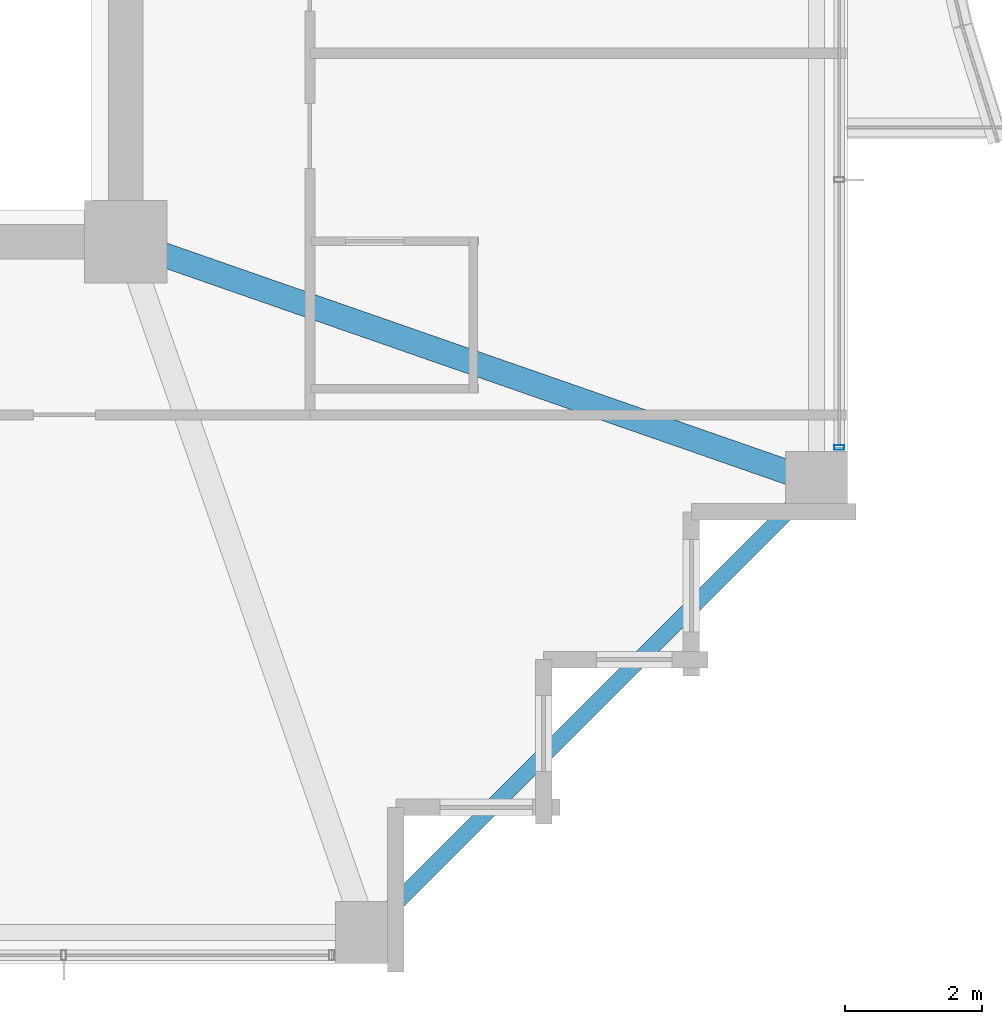
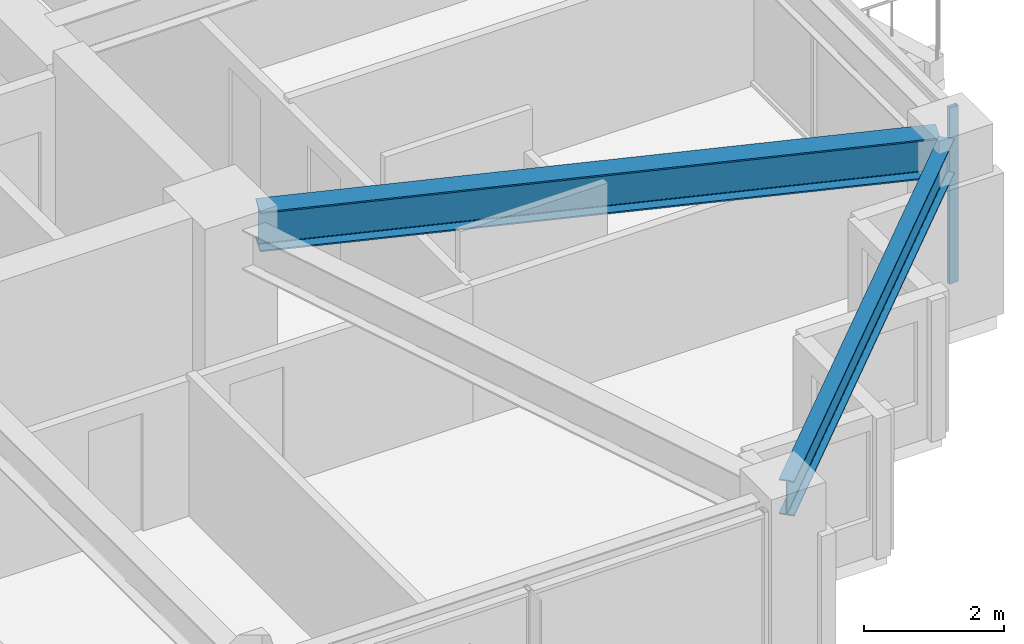
# One storey, part 11 of 34: 2 beams, 1 member, 1 element without a shape of its own.
"""IFC4 building model written with IfcOpenShell, lengths in metres."""

from ifc_helpers import new_model, si_unit, direction, frame, origin, origin_2d, place, context, subcontext, project, spatial, hollow_rectangle, i_section, extrude, material, material_profile, profile_set, type_object, element, aggregate, save


model = new_model("IFC4")

# Units and contexts
model_context = context("Model", 3, precision=1e-05, world=origin(), true_north=direction((0.0, 1.0)))
body_context = subcontext(model_context, "Body", "Model", "MODEL_VIEW")
ifc_project = project(units=[si_unit("LENGTHUNIT", "METRE"), si_unit("AREAUNIT", "SQUARE_METRE"), si_unit("VOLUMEUNIT", "CUBIC_METRE"), si_unit("PLANEANGLEUNIT", "RADIAN"), si_unit("MASSUNIT", "GRAM", prefix="KILO")], contexts=[model_context])

# Site, building, storey
site_placement = place(None, origin())
site = spatial("IfcSite", under=ifc_project, at=site_placement, CompositionType="ELEMENT")
building_placement = place(site_placement, origin())
building = spatial("IfcBuilding", under=site, at=building_placement, Name="Kolvaren Belvedere", CompositionType="ELEMENT")
storey_placement = place(building_placement, frame((0.0, 0.0, 189.89990234375)))
storey = spatial("IfcBuildingStorey", under=building, at=storey_placement, Name="L55", CompositionType="ELEMENT", Elevation=189.89990234375)

# Beams
ifc_material_1 = material(Name="Structural steel ASTM A992 Grade 50", Category="steel")
ifc_material_profile_1 = material_profile(ifc_material_1, i_section(OverallWidth=0.35498046875, OverallDepth=0.696044921875, WebThickness=0.015380859375, FlangeThickness=0.02490234375, FilletRadius=0.02197265625, at=origin_2d()), Name="W27X146")
ifc_profile_set_1 = profile_set([ifc_material_profile_1], Name="Structural steel ASTM A992 Grade 50")
beam_type_1 = type_object("IfcBeamType", Name="BM-GIRD-W27X146", PredefinedType="BEAM", material=ifc_profile_set_1)
beam_1_placement = place(storey_placement, frame((10.41943359375, -10.080810546875, 2.732177734375), z_axis=(0.944366798861, -0.328894130701, 0.0), x_axis=(0.328894130701, 0.944366798861, 0.0)))
element("IfcBeam", 1, at=beam_1_placement, inside=storey, type_object=beam_type_1, Name="L55 Corner Core-to-Perimeter Girder CC2-E1", PredefinedType="BEAM", context=body_context, shape_type="SweptSolid", body=[
    extrude(i_section(OverallWidth=0.35498046875, OverallDepth=0.696044921875, WebThickness=0.015380859375, FlangeThickness=0.02490234375, FilletRadius=0.02197265625, at=origin_2d()), origin(), (0.0, 0.0, 1.0), 9.912109375),
])
ifc_material_2 = material(Name="Structural steel ASTM A992 Grade 50", Category="steel")
ifc_material_profile_2 = material_profile(ifc_material_2, i_section(OverallWidth=0.22900390625, OverallDepth=0.612060546875, WebThickness=0.011962890625, FlangeThickness=0.01953125, FilletRadius=0.01806640625, at=origin_2d()), Name="W24X84")
ifc_profile_set_2 = profile_set([ifc_material_profile_2], Name="Structural steel ASTM A992 Grade 50")
beam_type_2 = type_object("IfcBeamType", Name="BM-SPAN-W24X84", PredefinedType="SPANDREL", material=ifc_profile_set_2)
beam_2_placement = place(storey_placement, frame((13.543212890625, -19.806884765625, 2.774169921875), z_axis=(0.707106781187, 0.707106781187, 0.0), x_axis=(-0.707106781187, 0.707106781187, 0.0)))
element("IfcBeam", 2, at=beam_2_placement, inside=storey, type_object=beam_type_2, Name="L55 Perimeter Spandrel S4-E1", PredefinedType="SPANDREL", context=body_context, shape_type="SweptSolid", body=[
    extrude(i_section(OverallWidth=0.22900390625, OverallDepth=0.612060546875, WebThickness=0.011962890625, FlangeThickness=0.01953125, FilletRadius=0.01806640625, at=origin_2d()), origin(), (0.0, 0.0, 1.0), 8.858154296875),
])

# Curtain wall, member
ifc_material_3 = material(Name="Anodised pale-metal aluminium AA 6063-T6", Category="aluminium")
curtain_wall_type = type_object("IfcCurtainWallType", Name="CW-Z5-HIGH", PredefinedType="NOTDEFINED", material=ifc_material_3)
curtain_wall_placement = place(storey_placement, origin())
curtain_wall = element("IfcCurtainWall", 3, at=curtain_wall_placement, inside=storey, type_object=curtain_wall_type, Name="L55 Unitised Curtain Wall FCW-L55-E2-B2", PredefinedType="NOTDEFINED")
ifc_material_4 = material(Name="Anodised pale-metal aluminium AA 6063-T6", Category="aluminium")
ifc_material_profile_3 = material_profile(ifc_material_4, hollow_rectangle(XDim=0.070068359375, YDim=0.14990234375, WallThickness=0.004150390625, at=origin_2d()), Name="ALU-MUL-150X70")
ifc_profile_set_3 = profile_set([ifc_material_profile_3], Name="Anodised pale-metal aluminium AA 6063-T6")
member_type = type_object("IfcMemberType", Name="CW-MUL-150", PredefinedType="MULLION", material=ifc_profile_set_3)
member_placement = place(storey_placement, frame((20.280029296875, -12.89501953125, 0.0), z_axis=(0.0, 0.0, 1.0), x_axis=(0.0, 1.0, 0.0)))
member = element("IfcMember", 4, at=member_placement, type_object=member_type, Name="FCW-L55-E2-B2 Unitised Mullion 3", PredefinedType="MULLION", context=body_context, shape_type="SweptSolid", body=[
    extrude(hollow_rectangle(XDim=0.070068359375, YDim=0.14990234375, WallThickness=0.004150390625, at=origin_2d()), origin(), (0.0, 0.0, 1.0), 3.080078125),
])
aggregate(curtain_wall, [member])

save(model, "model.ifc")
